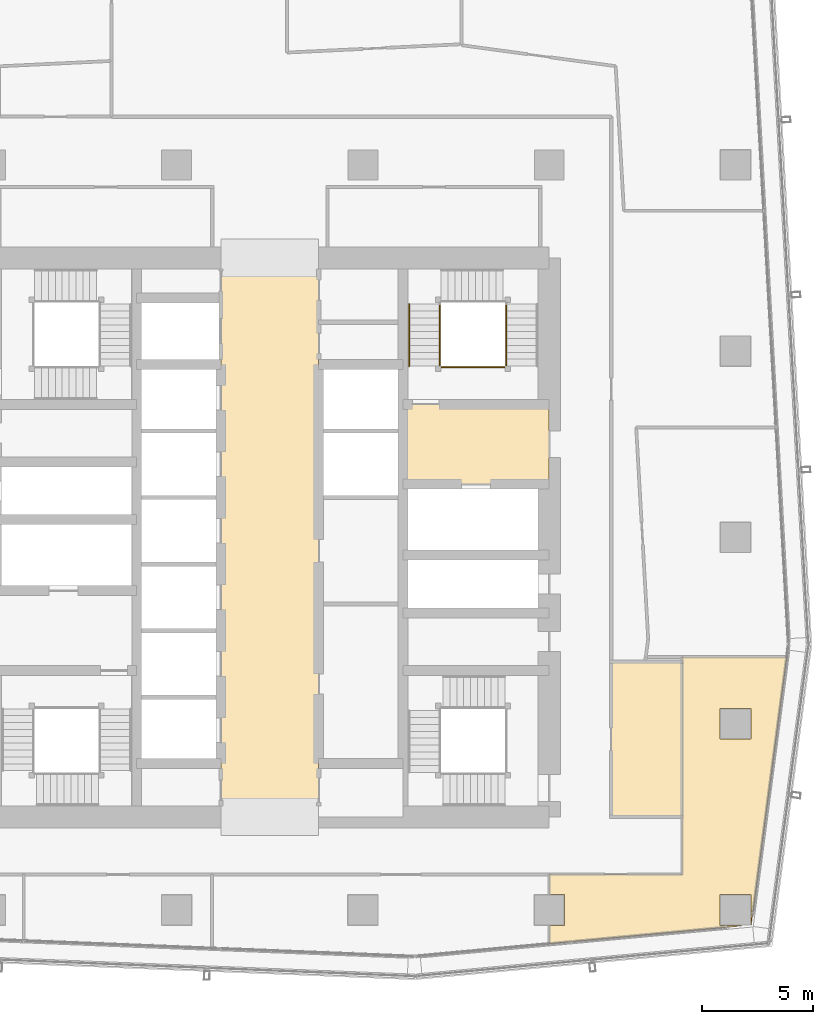
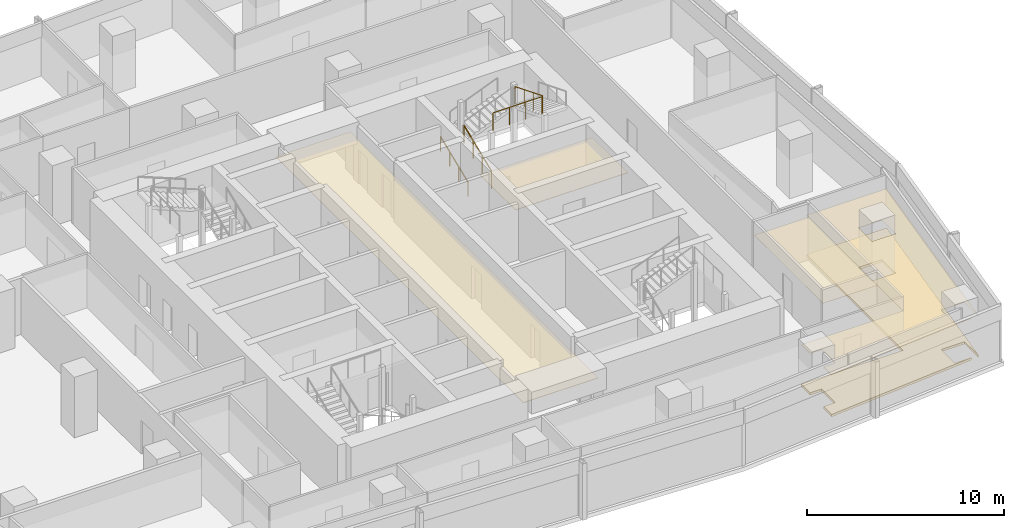
# One storey, part 35 of 39: 5 coverings, 4 railings.
"""IFC4 building model written with IfcOpenShell, lengths in metres."""

from ifc_helpers import new_model, si_unit, direction, frame, origin, origin_2d, place, context, subcontext, project, spatial, polyline, circle, outline, extrude, material, layer, layer_set, type_object, element, save


model = new_model("IFC4")

# Units and contexts
model_context = context("Model", 3, precision=1e-05, world=origin(), true_north=direction((0.0, 1.0)))
body_context = subcontext(model_context, "Body", "Model", "MODEL_VIEW")
ifc_project = project(units=[si_unit("LENGTHUNIT", "METRE"), si_unit("AREAUNIT", "SQUARE_METRE"), si_unit("VOLUMEUNIT", "CUBIC_METRE"), si_unit("PLANEANGLEUNIT", "RADIAN"), si_unit("MASSUNIT", "GRAM", prefix="KILO")], contexts=[model_context])

# Site, building, storey
site_placement = place(None, origin())
site = spatial("IfcSite", under=ifc_project, at=site_placement, CompositionType="ELEMENT")
building_placement = place(site_placement, origin())
building = spatial("IfcBuilding", under=site, at=building_placement, Name="Rekha Terrace Tower", CompositionType="ELEMENT")
storey_placement = place(building_placement, frame((0.0, 0.0, 221.449951171875)))
storey = spatial("IfcBuildingStorey", under=building, at=storey_placement, Name="L56", CompositionType="ELEMENT", Elevation=221.449951171875)

# Coverings
ifc_material_1 = material(Name="Mineral fibre tile in exposed grid", Category="finish")
ifc_layer_1 = layer(ifc_material_1, 0.02001953125)
ifc_layer_set_1 = layer_set([ifc_layer_1], Name="Mineral fibre tile in exposed grid")
covering_type_1 = type_object("IfcCoveringType", Name="CL1 600x1200 office grid ceiling", PredefinedType="CEILING", material=ifc_layer_set_1)
covering_1_placement = place(storey_placement, frame((0.0, 0.0, 2.580078125)))
element("IfcCovering", 1, at=covering_1_placement, inside=storey, type_object=covering_type_1, Name="Ceiling L56-03", PredefinedType="CEILING", context=body_context, shape_type="SweptSolid", body=[
    extrude(outline(polyline([(59.489990234375, 16.12890625), (59.510009765625, 16.1279296875), (61.110107421875, 28.2080078125), (56.39990234375, 28.2080078125), (56.39990234375, 18.39990234375), (50.408935546875, 18.39990234375), (50.408935546875, 17.489990234375), (51.090087890625, 17.489990234375), (51.090087890625, 16.110107421875), (50.408935546875, 16.110107421875), (50.408935546875, 15.280029296875), (59.080078125, 16.0869140625), (59.0791015625, 16.110107421875), (58.110107421875, 16.110107421875), (58.110107421875, 17.489990234375), (59.489990234375, 17.489990234375), (59.489990234375, 16.12890625)]), holes=[polyline([(59.489990234375, 24.510009765625), (58.110107421875, 24.510009765625), (58.110107421875, 25.889892578125), (59.489990234375, 25.889892578125), (59.489990234375, 24.510009765625)])]), origin(), (0.0, 0.0, 1.0), 0.02001953125),
])
ifc_material_2 = material(Name="Fibre cement board", Category="finish")
ifc_layer_2 = layer(ifc_material_2, 0.014892578125)
ifc_layer_set_2 = layer_set([ifc_layer_2], Name="Fibre cement board")
covering_type_2 = type_object("IfcCoveringType", Name="CL2 moisture-resistant board ceiling", PredefinedType="CEILING", material=ifc_layer_set_2)
covering_2_placement = place(storey_placement, frame((0.0, 0.0, 2.5849609375)))
element("IfcCovering", 2, at=covering_2_placement, inside=storey, type_object=covering_type_2, Name="Ceiling L56-WCM2", PredefinedType="CEILING", context=body_context, shape_type="SweptSolid", body=[
    extrude(outline(polyline([(56.39990234375, 28.0), (53.199951171875, 28.0), (53.199951171875, 21.0), (56.39990234375, 21.0), (56.39990234375, 28.0)])), origin(), (0.0, 0.0, 1.0), 0.01513671875),
])
ifc_material_3 = material(Name="Powder-coated aluminium pan", Category="aluminium")
ifc_layer_3 = layer(ifc_material_3, 0.030029296875)
ifc_layer_set_3 = layer_set([ifc_layer_3], Name="Powder-coated aluminium pan")
covering_type_3 = type_object("IfcCoveringType", Name="CL3 300x1200 metal pan ceiling", PredefinedType="CEILING", material=ifc_layer_set_3)
covering_3_placement = place(storey_placement, frame((0.0, 0.0, 2.570068359375)))
element("IfcCovering", 3, at=covering_3_placement, inside=storey, type_object=covering_type_3, Name="Ceiling L56-LOBBY", PredefinedType="CEILING", context=body_context, shape_type="SweptSolid", body=[
    extrude(outline(polyline([(40.0, 46.199951171875), (35.60009765625, 46.199951171875), (35.60009765625, 21.0), (40.0, 21.0), (40.0, 46.199951171875)])), origin(), (0.0, 0.0, 1.0), 0.030029296875),
])
covering_4_placement = place(storey_placement, frame((0.0, 0.0, 2.570068359375)))
element("IfcCovering", 4, at=covering_4_placement, inside=storey, type_object=covering_type_3, Name="Ceiling L56-FLB2", PredefinedType="CEILING", context=body_context, shape_type="SweptSolid", body=[
    extrude(outline(polyline([(50.39990234375, 39.60009765625), (43.800048828125, 39.60009765625), (43.800048828125, 36.0), (50.39990234375, 36.0), (50.39990234375, 39.60009765625)])), origin(), (0.0, 0.0, 1.0), 0.030029296875),
])

# Railings
ifc_material_4 = material(Name="Stainless steel balustrade", Category="steel")
railing_type_1 = type_object("IfcRailingType", Name="GR1 1100 stair guard", PredefinedType="GUARDRAIL", material=ifc_material_4)
railing_1_placement = place(storey_placement, frame((45.465087890625, 41.324951171875, 0.125)))
element("IfcRailing", 5, at=railing_1_placement, inside=storey, type_object=railing_type_1, Name="Guard ST2 L56 flight 1", PredefinedType="GUARDRAIL", context=body_context, shape_type="SweptSolid", body=[
    extrude(circle(Radius=0.02392578125, at=origin_2d()), frame((0.0, 0.0, 1.076171875), z_axis=(0.0, 0.927443287984, 0.373963831907), x_axis=(-1.0, 0.0, 0.0)), (0.0, 0.0, 1.0), 3.00830078125),
    extrude(circle(Radius=0.02099609375, at=origin_2d()), origin(), (0.0, 0.0, 1.0), 1.052001953125),
    extrude(circle(Radius=0.02099609375, at=origin_2d()), frame((0.0, 0.929931640625, 0.375)), (0.0, 0.0, 1.0), 1.052001953125),
    extrude(circle(Radius=0.02099609375, at=origin_2d()), frame((0.0, 1.860107421875, 0.75)), (0.0, 0.0, 1.0), 1.052001953125),
    extrude(circle(Radius=0.02099609375, at=origin_2d()), frame((0.0, 2.7900390625, 1.125)), (0.0, 0.0, 1.0), 1.052001953125),
])
railing_2_placement = place(storey_placement, frame((48.4599609375, 44.114990234375, 2.625)))
element("IfcRailing", 6, at=railing_2_placement, inside=storey, type_object=railing_type_1, Name="Guard ST2 L56 flight 3", PredefinedType="GUARDRAIL", context=body_context, shape_type="SweptSolid", body=[
    extrude(circle(Radius=0.02392578125, at=origin_2d()), frame((0.0, 0.0, 1.076171875), z_axis=(0.0, -0.927443287984, 0.373963831907), x_axis=(1.0, 0.0, 0.0)), (0.0, 0.0, 1.0), 3.00830078125),
    extrude(circle(Radius=0.02099609375, at=origin_2d()), origin(), (0.0, 0.0, 1.0), 1.052001953125),
    extrude(circle(Radius=0.02099609375, at=origin_2d()), frame((0.0, -0.929931640625, 0.375)), (0.0, 0.0, 1.0), 1.052001953125),
    extrude(circle(Radius=0.02099609375, at=origin_2d()), frame((0.0, -1.860107421875, 0.75)), (0.0, 0.0, 1.0), 1.052001953125),
    extrude(circle(Radius=0.02099609375, at=origin_2d()), frame((0.0, -2.7900390625, 1.125)), (0.0, 0.0, 1.0), 1.052001953125),
])
railing_3_placement = place(storey_placement, frame((45.52490234375, 41.264892578125, 3.75)))
element("IfcRailing", 7, at=railing_3_placement, inside=storey, type_object=railing_type_1, Name="Guard ST2 L56 landing 4", PredefinedType="GUARDRAIL", context=body_context, shape_type="SweptSolid", body=[
    extrude(circle(Radius=0.02392578125, at=origin_2d()), frame((0.0, 0.0, 1.076171875), z_axis=(1.0, 0.0, 0.0), x_axis=(0.0, 1.0, 0.0)), (0.0, 0.0, 1.0), 2.875),
    extrude(circle(Radius=0.02099609375, at=origin_2d()), origin(), (0.0, 0.0, 1.0), 1.052001953125),
    extrude(circle(Radius=0.02099609375, at=origin_2d()), frame((0.958251953125, 0.0, 0.0)), (0.0, 0.0, 1.0), 1.052001953125),
    extrude(circle(Radius=0.02099609375, at=origin_2d()), frame((1.916748046875, 0.0, 0.0)), (0.0, 0.0, 1.0), 1.052001953125),
    extrude(circle(Radius=0.02099609375, at=origin_2d()), frame((2.875, 0.0, 0.0)), (0.0, 0.0, 1.0), 1.052001953125),
])
ifc_material_5 = material(Name="Stainless steel tube", Category="steel")
railing_type_2 = type_object("IfcRailingType", Name="HR1 900 stair handrail", PredefinedType="HANDRAIL", material=ifc_material_5)
railing_4_placement = place(storey_placement, frame((44.0849609375, 41.324951171875, 0.125)))
element("IfcRailing", 8, at=railing_4_placement, inside=storey, type_object=railing_type_2, Name="Handrail ST2 L56 flight 1", PredefinedType="HANDRAIL", context=body_context, shape_type="SweptSolid", body=[
    extrude(circle(Radius=0.02392578125, at=origin_2d()), frame((0.0, 0.0, 0.8759765625), z_axis=(0.0, 0.927443287984, 0.373963831907), x_axis=(-1.0, 0.0, 0.0)), (0.0, 0.0, 1.0), 3.00830078125),
    extrude(circle(Radius=0.02099609375, at=origin_2d()), origin(), (0.0, 0.0, 1.0), 0.851806640625),
    extrude(circle(Radius=0.02099609375, at=origin_2d()), frame((0.0, 0.929931640625, 0.375)), (0.0, 0.0, 1.0), 0.851806640625),
    extrude(circle(Radius=0.02099609375, at=origin_2d()), frame((0.0, 1.860107421875, 0.75)), (0.0, 0.0, 1.0), 0.851806640625),
    extrude(circle(Radius=0.02099609375, at=origin_2d()), frame((0.0, 2.7900390625, 1.125)), (0.0, 0.0, 1.0), 0.851806640625),
])

# Covering
ifc_material_6 = material(Name="Calcium sulphate panels on steel pedestals", Category="steel")
ifc_layer_4 = layer(ifc_material_6, 0.14990234375)
ifc_layer_set_4 = layer_set([ifc_layer_4], Name="Calcium sulphate panels on steel pedestals")
covering_type_4 = type_object("IfcCoveringType", Name="RF1 150 raised access floor", PredefinedType="FLOORING", material=ifc_layer_set_4)
covering_5_placement = place(storey_placement, origin())
element("IfcCovering", 9, at=covering_5_placement, inside=storey, type_object=covering_type_4, Name="Raised floor L56-03", PredefinedType="FLOORING", context=body_context, shape_type="SweptSolid", body=[
    extrude(outline(polyline([(59.489990234375, 16.12890625), (59.510009765625, 16.1279296875), (61.110107421875, 28.2080078125), (56.39990234375, 28.2080078125), (56.39990234375, 18.39990234375), (50.408935546875, 18.39990234375), (50.408935546875, 17.489990234375), (51.090087890625, 17.489990234375), (51.090087890625, 16.110107421875), (50.408935546875, 16.110107421875), (50.408935546875, 15.280029296875), (59.080078125, 16.0869140625), (59.0791015625, 16.110107421875), (58.110107421875, 16.110107421875), (58.110107421875, 17.489990234375), (59.489990234375, 17.489990234375), (59.489990234375, 16.12890625)]), holes=[polyline([(59.489990234375, 24.510009765625), (58.110107421875, 24.510009765625), (58.110107421875, 25.889892578125), (59.489990234375, 25.889892578125), (59.489990234375, 24.510009765625)])]), origin(), (0.0, 0.0, 1.0), 0.150146484375),
])

save(model, "model.ifc")
